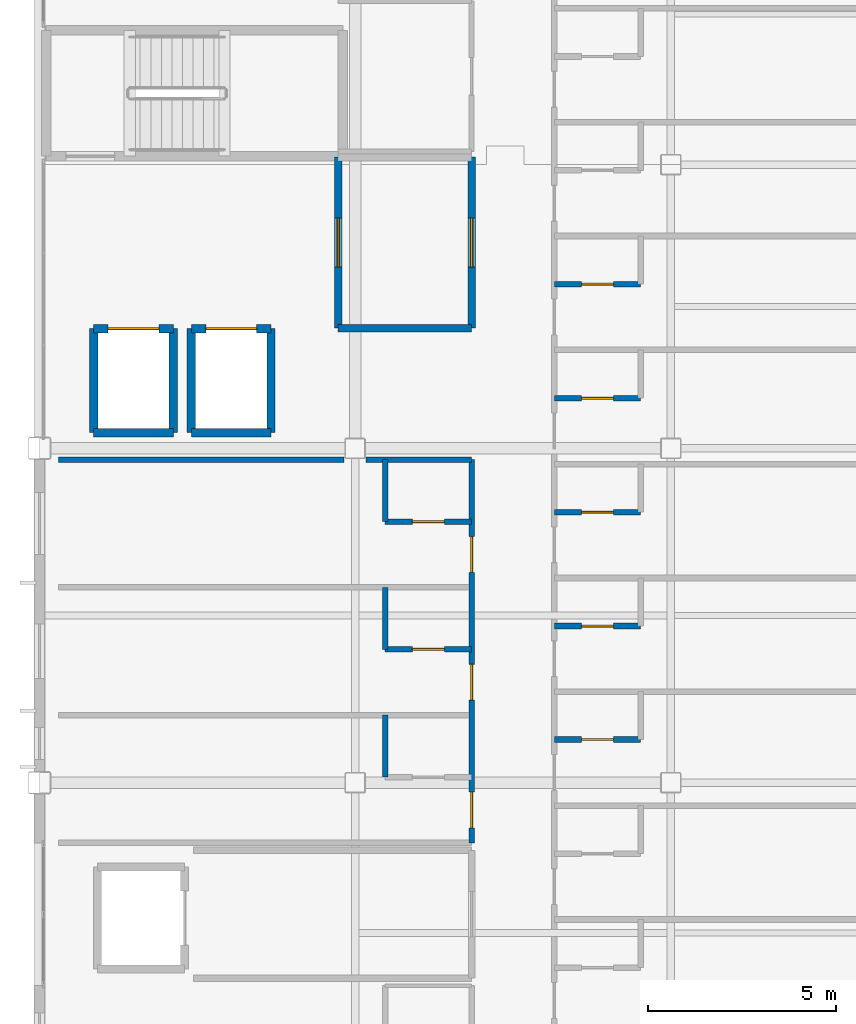
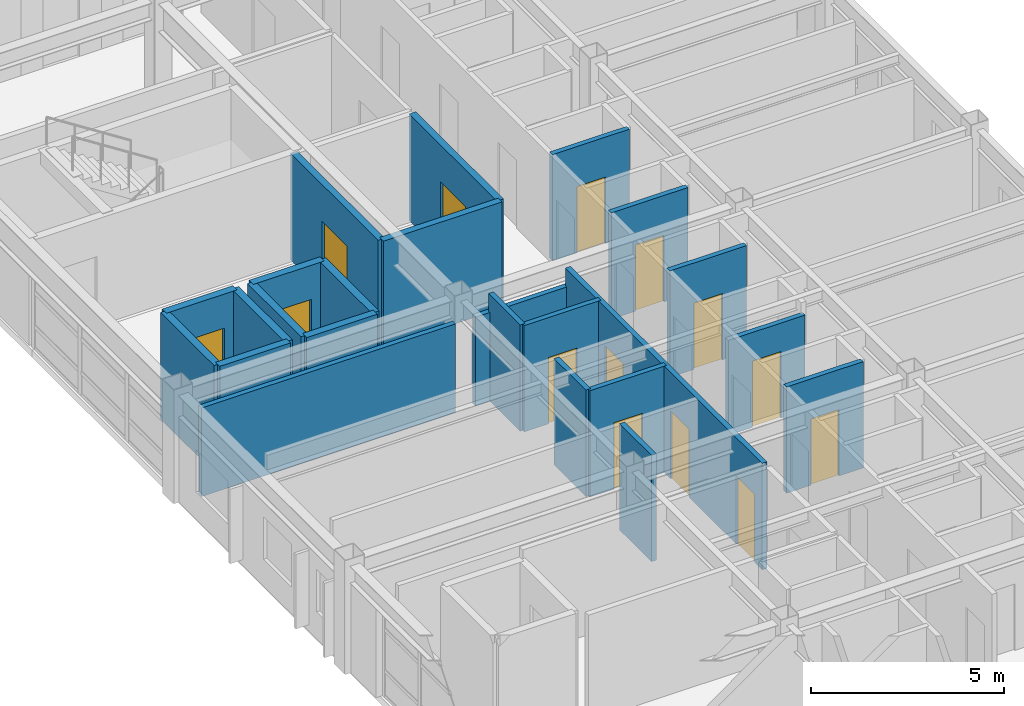
# One storey, part 26 of 38: 24 walls, 14 doors, 14 openings.
"""IFC4 building model written with IfcOpenShell, lengths in metres."""

from ifc_helpers import new_model, si_unit, direction, frame, frame_2d, origin, place, context, subcontext, project, spatial, rectangle, extrude, material, layer, layer_set, type_object, element, fill, save


model = new_model("IFC4")

# Units and contexts
model_context = context("Model", 3, precision=1e-05, world=origin(), true_north=direction((0.0, 1.0)))
body_context = subcontext(model_context, "Body", "Model", "MODEL_VIEW")
ifc_project = project(units=[si_unit("LENGTHUNIT", "METRE"), si_unit("AREAUNIT", "SQUARE_METRE"), si_unit("VOLUMEUNIT", "CUBIC_METRE"), si_unit("PLANEANGLEUNIT", "RADIAN"), si_unit("MASSUNIT", "GRAM", prefix="KILO")], contexts=[model_context])

# Site, building, storey
site_placement = place(None, origin())
site = spatial("IfcSite", under=ifc_project, at=site_placement, CompositionType="ELEMENT")
building_placement = place(site_placement, origin())
building = spatial("IfcBuilding", under=site, at=building_placement, Name="Kazehara Bluff Congress Hotel", CompositionType="ELEMENT")
storey_placement = place(building_placement, frame((0.0, 0.0, 24.60009765625)))
storey = spatial("IfcBuildingStorey", under=building, at=storey_placement, Name="L05", CompositionType="ELEMENT", Elevation=24.60009765625)

# Wall
ifc_material_1 = material(Name="Concrete C40/50", Category="concrete")
ifc_layer_1 = layer(ifc_material_1, 0.199951171875)
ifc_layer_set_1 = layer_set([ifc_layer_1], Name="Concrete C40/50")
wall_type_1 = type_object("IfcWallType", Name="TP-FW-RC", PredefinedType="SOLIDWALL", material=ifc_layer_set_1)
wall_1_placement = place(storey_placement, frame((151.64990234375, 44.10009765625, 0.0), z_axis=(0.0, 0.0, 1.0), x_axis=(1.0, 0.0, 0.0)))
element("IfcWall", 1, at=wall_1_placement, inside=storey, type_object=wall_type_1, Name="L05 partition FW-RC 557", PredefinedType="SOLIDWALL", context=body_context, shape_type="SweptSolid", body=[
    extrude(rectangle(XDim=3.550048828125, YDim=0.199951171875, at=frame_2d((1.77490234375, 0.0))), origin(), (0.0, 0.0, 1.0), 3.364990234375),
])

# Wall, opening, door
wall_2_placement = place(storey_placement, frame((151.64990234375, 44.10009765625, 0.0), z_axis=(0.0, 0.0, 1.0), x_axis=(0.0, 1.0, 0.0)))
wall_2 = element("IfcWall", 2, at=wall_2_placement, inside=storey, type_object=wall_type_1, Name="L05 partition FW-RC 624", PredefinedType="SOLIDWALL", context=body_context, shape_type="SweptSolid", body=[
    extrude(rectangle(XDim=4.5498046875, YDim=0.199951171875, at=frame_2d((2.27490234375, 0.0))), origin(), (0.0, 0.0, 1.0), 3.364990234375),
])
opening_1_placement = place(wall_2_placement, frame((1.625, 0.0, 0.0)))
opening_1 = element("IfcOpeningElement", 3, at=opening_1_placement, cuts=wall_2, Name="Opening FD-01", PredefinedType="OPENING", context=body_context, shape_type="SweptSolid", body=[
    extrude(rectangle(XDim=1.300048828125, YDim=2.199951171875, at=frame_2d((0.64990234375, 1.10009765625))), frame((0.0, 0.10986328125, 0.0), z_axis=(0.0, -1.0, 0.0), x_axis=(1.0, 0.0, 0.0)), (0.0, 0.0, 1.0), 0.219970703125),
])
ifc_material_2 = material(Name="Fire-rated painted steel leaf", Category="steel")
door_type_1 = type_object("IfcDoorType", Name="TP-FD-01", OperationType="NOTDEFINED", PredefinedType="DOOR", material=ifc_material_2)
door_1_placement = place(opening_1_placement, origin())
door_1 = element("IfcDoor", 4, at=door_1_placement, inside=storey, type_object=door_type_1, Name="L05 Emergency Firefighting Lobby door", OperationType="SINGLE_SWING_RIGHT", OverallHeight=2.199951171875, OverallWidth=1.300048828125, PredefinedType="DOOR", context=body_context, shape_type="SweptSolid", body=[
    extrude(rectangle(XDim=1.300048828125, YDim=2.199951171875, at=frame_2d((0.64990234375, 1.10009765625))), frame((0.0, 0.02490234375, 0.0), z_axis=(0.0, -1.0, 0.0), x_axis=(1.0, 0.0, 0.0)), (0.0, 0.0, 1.0), 0.050048828125),
])
fill(opening_1, door_1)

wall_3_placement = place(storey_placement, frame((155.199951171875, 44.10009765625, 0.0), z_axis=(0.0, 0.0, 1.0), x_axis=(0.0, 1.0, 0.0)))
wall_3 = element("IfcWall", 5, at=wall_3_placement, inside=storey, type_object=wall_type_1, Name="L05 partition FW-RC 653", PredefinedType="SOLIDWALL", context=body_context, shape_type="SweptSolid", body=[
    extrude(rectangle(XDim=4.5498046875, YDim=0.199951171875, at=frame_2d((2.27490234375, 0.0))), origin(), (0.0, 0.0, 1.0), 3.364990234375),
])
opening_2_placement = place(wall_3_placement, frame((1.625, 0.0, 0.0)))
opening_2 = element("IfcOpeningElement", 6, at=opening_2_placement, cuts=wall_3, Name="Opening FD-01", PredefinedType="OPENING", context=body_context, shape_type="SweptSolid", body=[
    extrude(rectangle(XDim=1.300048828125, YDim=2.199951171875, at=frame_2d((0.64990234375, 1.10009765625))), frame((0.0, 0.10986328125, 0.0), z_axis=(0.0, -1.0, 0.0), x_axis=(1.0, 0.0, 0.0)), (0.0, 0.0, 1.0), 0.219970703125),
])
door_2_placement = place(opening_2_placement, origin())
door_2 = element("IfcDoor", 7, at=door_2_placement, inside=storey, type_object=door_type_1, Name="L05 Smoke Vestibule Lobby door", OperationType="SINGLE_SWING_LEFT", OverallHeight=2.199951171875, OverallWidth=1.300048828125, PredefinedType="DOOR", context=body_context, shape_type="SweptSolid", body=[
    extrude(rectangle(XDim=1.300048828125, YDim=2.199951171875, at=frame_2d((0.64990234375, 1.10009765625))), frame((0.0, 0.02490234375, 0.0), z_axis=(0.0, -1.0, 0.0), x_axis=(1.0, 0.0, 0.0)), (0.0, 0.0, 1.0), 0.050048828125),
])
fill(opening_2, door_2)

ifc_material_3 = material(Name="Fire-rated gypsum board stud partition")
ifc_layer_2 = layer(ifc_material_3, 0.14990234375)
ifc_layer_set_2 = layer_set([ifc_layer_2], Name="Fire-rated gypsum board stud partition")
wall_type_2 = type_object("IfcWallType", Name="TP-PT-150", PredefinedType="PARTITIONING", material=ifc_layer_set_2)
wall_4_placement = place(storey_placement, frame((157.39990234375, 33.14990234375, 0.0), z_axis=(0.0, 0.0, 1.0), x_axis=(1.0, 0.0, 0.0)))
wall_4 = element("IfcWall", 8, at=wall_4_placement, inside=storey, type_object=wall_type_2, Name="L05 partition PT-150 543", PredefinedType="PARTITIONING", context=body_context, shape_type="SweptSolid", body=[
    extrude(rectangle(XDim=2.300048828125, YDim=0.14990234375, at=frame_2d((1.14990234375, 0.0))), origin(), (0.0, 0.0, 1.0), 3.364990234375),
])
opening_3_placement = place(wall_4_placement, frame((0.72509765625, 0.0, 0.0)))
opening_3 = element("IfcOpeningElement", 9, at=opening_3_placement, cuts=wall_4, Name="Opening BD-01", PredefinedType="OPENING", context=body_context, shape_type="SweptSolid", body=[
    extrude(rectangle(XDim=0.85009765625, YDim=2.10009765625, at=frame_2d((0.425048828125, 1.050048828125))), frame((0.0, 0.0849609375, 0.0), z_axis=(0.0, -1.0, 0.0), x_axis=(1.0, 0.0, 0.0)), (0.0, 0.0, 1.0), 0.169921875),
])
ifc_material_4 = material(Name="Architectural oak veneer leaf")
door_type_2 = type_object("IfcDoorType", Name="TP-BD-01", OperationType="NOTDEFINED", PredefinedType="DOOR", material=ifc_material_4)
door_3_placement = place(opening_3_placement, origin())
door_3 = element("IfcDoor", 10, at=door_3_placement, inside=storey, type_object=door_type_2, Name="L05 En-suite Bathroom 100 door", OperationType="SINGLE_SWING_RIGHT", OverallHeight=2.10009765625, OverallWidth=0.85009765625, PredefinedType="DOOR", context=body_context, shape_type="SweptSolid", body=[
    extrude(rectangle(XDim=0.85009765625, YDim=2.10009765625, at=frame_2d((0.425048828125, 1.050048828125))), frame((0.0, 0.02490234375, 0.0), z_axis=(0.0, -1.0, 0.0), x_axis=(1.0, 0.0, 0.0)), (0.0, 0.0, 1.0), 0.050048828125),
])
fill(opening_3, door_3)

wall_5_placement = place(storey_placement, frame((152.89990234375, 35.550048828125, 0.0), z_axis=(0.0, 0.0, 1.0), x_axis=(1.0, 0.0, 0.0)))
wall_5 = element("IfcWall", 11, at=wall_5_placement, inside=storey, type_object=wall_type_2, Name="L05 partition PT-150 546", PredefinedType="PARTITIONING", context=body_context, shape_type="SweptSolid", body=[
    extrude(rectangle(XDim=2.300048828125, YDim=0.14990234375, at=frame_2d((1.14990234375, 0.0))), origin(), (0.0, 0.0, 1.0), 3.364990234375),
])
opening_4_placement = place(wall_5_placement, frame((0.72509765625, 0.0, 0.0)))
opening_4 = element("IfcOpeningElement", 12, at=opening_4_placement, cuts=wall_5, Name="Opening BD-01", PredefinedType="OPENING", context=body_context, shape_type="SweptSolid", body=[
    extrude(rectangle(XDim=0.85009765625, YDim=2.10009765625, at=frame_2d((0.425048828125, 1.050048828125))), frame((0.0, 0.0849609375, 0.0), z_axis=(0.0, -1.0, 0.0), x_axis=(1.0, 0.0, 0.0)), (0.0, 0.0, 1.0), 0.169921875),
])
door_4_placement = place(opening_4_placement, origin())
door_4 = element("IfcDoor", 13, at=door_4_placement, inside=storey, type_object=door_type_2, Name="L05 En-suite Bathroom 76 door", OperationType="SINGLE_SWING_RIGHT", OverallHeight=2.10009765625, OverallWidth=0.85009765625, PredefinedType="DOOR", context=body_context, shape_type="SweptSolid", body=[
    extrude(rectangle(XDim=0.85009765625, YDim=2.10009765625, at=frame_2d((0.425048828125, 1.050048828125))), frame((0.0, 0.02490234375, 0.0), z_axis=(0.0, -1.0, 0.0), x_axis=(1.0, 0.0, 0.0)), (0.0, 0.0, 1.0), 0.050048828125),
])
fill(opening_4, door_4)

wall_6_placement = place(storey_placement, frame((157.39990234375, 36.169921875, 0.0), z_axis=(0.0, 0.0, 1.0), x_axis=(1.0, 0.0, 0.0)))
wall_6 = element("IfcWall", 14, at=wall_6_placement, inside=storey, type_object=wall_type_2, Name="L05 partition PT-150 547", PredefinedType="PARTITIONING", context=body_context, shape_type="SweptSolid", body=[
    extrude(rectangle(XDim=2.300048828125, YDim=0.14990234375, at=frame_2d((1.14990234375, 0.0))), origin(), (0.0, 0.0, 1.0), 3.0048828125),
])
opening_5_placement = place(wall_6_placement, frame((0.72509765625, 0.0, 0.0)))
opening_5 = element("IfcOpeningElement", 15, at=opening_5_placement, cuts=wall_6, Name="Opening BD-01", PredefinedType="OPENING", context=body_context, shape_type="SweptSolid", body=[
    extrude(rectangle(XDim=0.85009765625, YDim=2.10009765625, at=frame_2d((0.425048828125, 1.050048828125))), frame((0.0, 0.0849609375, 0.0), z_axis=(0.0, -1.0, 0.0), x_axis=(1.0, 0.0, 0.0)), (0.0, 0.0, 1.0), 0.169921875),
])
door_5_placement = place(opening_5_placement, origin())
door_5 = element("IfcDoor", 16, at=door_5_placement, inside=storey, type_object=door_type_2, Name="L05 En-suite Bathroom 101 door", OperationType="SINGLE_SWING_RIGHT", OverallHeight=2.10009765625, OverallWidth=0.85009765625, PredefinedType="DOOR", context=body_context, shape_type="SweptSolid", body=[
    extrude(rectangle(XDim=0.85009765625, YDim=2.10009765625, at=frame_2d((0.425048828125, 1.050048828125))), frame((0.0, 0.02490234375, 0.0), z_axis=(0.0, -1.0, 0.0), x_axis=(1.0, 0.0, 0.0)), (0.0, 0.0, 1.0), 0.050048828125),
])
fill(opening_5, door_5)

wall_7_placement = place(storey_placement, frame((152.89990234375, 38.949951171875, 0.0), z_axis=(0.0, 0.0, 1.0), x_axis=(1.0, 0.0, 0.0)))
wall_7 = element("IfcWall", 17, at=wall_7_placement, inside=storey, type_object=wall_type_2, Name="L05 partition PT-150 550", PredefinedType="PARTITIONING", context=body_context, shape_type="SweptSolid", body=[
    extrude(rectangle(XDim=2.300048828125, YDim=0.14990234375, at=frame_2d((1.14990234375, 0.0))), origin(), (0.0, 0.0, 1.0), 3.364990234375),
])
opening_6_placement = place(wall_7_placement, frame((0.72509765625, 0.0, 0.0)))
opening_6 = element("IfcOpeningElement", 18, at=opening_6_placement, cuts=wall_7, Name="Opening BD-01", PredefinedType="OPENING", context=body_context, shape_type="SweptSolid", body=[
    extrude(rectangle(XDim=0.85009765625, YDim=2.10009765625, at=frame_2d((0.425048828125, 1.050048828125))), frame((0.0, 0.0849609375, 0.0), z_axis=(0.0, -1.0, 0.0), x_axis=(1.0, 0.0, 0.0)), (0.0, 0.0, 1.0), 0.169921875),
])
door_6_placement = place(opening_6_placement, origin())
door_6 = element("IfcDoor", 19, at=door_6_placement, inside=storey, type_object=door_type_2, Name="L05 En-suite Bathroom 77 door", OperationType="SINGLE_SWING_RIGHT", OverallHeight=2.10009765625, OverallWidth=0.85009765625, PredefinedType="DOOR", context=body_context, shape_type="SweptSolid", body=[
    extrude(rectangle(XDim=0.85009765625, YDim=2.10009765625, at=frame_2d((0.425048828125, 1.050048828125))), frame((0.0, 0.02490234375, 0.0), z_axis=(0.0, -1.0, 0.0), x_axis=(1.0, 0.0, 0.0)), (0.0, 0.0, 1.0), 0.050048828125),
])
fill(opening_6, door_6)

wall_8_placement = place(storey_placement, frame((157.39990234375, 39.199951171875, 0.0), z_axis=(0.0, 0.0, 1.0), x_axis=(1.0, 0.0, 0.0)))
wall_8 = element("IfcWall", 20, at=wall_8_placement, inside=storey, type_object=wall_type_2, Name="L05 partition PT-150 551", PredefinedType="PARTITIONING", context=body_context, shape_type="SweptSolid", body=[
    extrude(rectangle(XDim=2.300048828125, YDim=0.14990234375, at=frame_2d((1.14990234375, 0.0))), origin(), (0.0, 0.0, 1.0), 3.364990234375),
])
opening_7_placement = place(wall_8_placement, frame((0.72509765625, 0.0, 0.0)))
opening_7 = element("IfcOpeningElement", 21, at=opening_7_placement, cuts=wall_8, Name="Opening BD-01", PredefinedType="OPENING", context=body_context, shape_type="SweptSolid", body=[
    extrude(rectangle(XDim=0.85009765625, YDim=2.10009765625, at=frame_2d((0.425048828125, 1.050048828125))), frame((0.0, 0.0849609375, 0.0), z_axis=(0.0, -1.0, 0.0), x_axis=(1.0, 0.0, 0.0)), (0.0, 0.0, 1.0), 0.169921875),
])
door_7_placement = place(opening_7_placement, origin())
door_7 = element("IfcDoor", 22, at=door_7_placement, inside=storey, type_object=door_type_2, Name="L05 En-suite Bathroom 102 door", OperationType="SINGLE_SWING_RIGHT", OverallHeight=2.10009765625, OverallWidth=0.85009765625, PredefinedType="DOOR", context=body_context, shape_type="SweptSolid", body=[
    extrude(rectangle(XDim=0.85009765625, YDim=2.10009765625, at=frame_2d((0.425048828125, 1.050048828125))), frame((0.0, 0.02490234375, 0.0), z_axis=(0.0, -1.0, 0.0), x_axis=(1.0, 0.0, 0.0)), (0.0, 0.0, 1.0), 0.050048828125),
])
fill(opening_7, door_7)

# Walls
wall_9_placement = place(storey_placement, frame((144.199951171875, 40.60009765625, 0.0), z_axis=(0.0, 0.0, 1.0), x_axis=(1.0, 0.0, 0.0)))
element("IfcWall", 23, at=wall_9_placement, inside=storey, type_object=wall_type_2, Name="L05 partition PT-150 553", PredefinedType="PARTITIONING", context=body_context, shape_type="SweptSolid", body=[
    extrude(rectangle(XDim=7.60498046875, YDim=0.14990234375, at=frame_2d((3.802490234375, 0.0))), origin(), (0.0, 0.0, 1.0), 2.804931640625),
])
wall_10_placement = place(storey_placement, frame((152.39501953125, 40.60009765625, 0.0), z_axis=(0.0, 0.0, 1.0), x_axis=(1.0, 0.0, 0.0)))
element("IfcWall", 24, at=wall_10_placement, inside=storey, type_object=wall_type_2, Name="L05 partition PT-150 554", PredefinedType="PARTITIONING", context=body_context, shape_type="SweptSolid", body=[
    extrude(rectangle(XDim=2.804931640625, YDim=0.14990234375, at=frame_2d((1.40234375, 0.0))), origin(), (0.0, 0.0, 1.0), 2.804931640625),
])

# Wall, opening, door
wall_11_placement = place(storey_placement, frame((157.39990234375, 42.22998046875, 0.0), z_axis=(0.0, 0.0, 1.0), x_axis=(1.0, 0.0, 0.0)))
wall_11 = element("IfcWall", 25, at=wall_11_placement, inside=storey, type_object=wall_type_2, Name="L05 partition PT-150 555", PredefinedType="PARTITIONING", context=body_context, shape_type="SweptSolid", body=[
    extrude(rectangle(XDim=2.300048828125, YDim=0.14990234375, at=frame_2d((1.14990234375, 0.0))), origin(), (0.0, 0.0, 1.0), 3.364990234375),
])
opening_8_placement = place(wall_11_placement, frame((0.72509765625, 0.0, 0.0)))
opening_8 = element("IfcOpeningElement", 26, at=opening_8_placement, cuts=wall_11, Name="Opening BD-01", PredefinedType="OPENING", context=body_context, shape_type="SweptSolid", body=[
    extrude(rectangle(XDim=0.85009765625, YDim=2.10009765625, at=frame_2d((0.425048828125, 1.050048828125))), frame((0.0, 0.0849609375, 0.0), z_axis=(0.0, -1.0, 0.0), x_axis=(1.0, 0.0, 0.0)), (0.0, 0.0, 1.0), 0.169921875),
])
door_8_placement = place(opening_8_placement, origin())
door_8 = element("IfcDoor", 27, at=door_8_placement, inside=storey, type_object=door_type_2, Name="L05 En-suite Bathroom 103 door", OperationType="SINGLE_SWING_RIGHT", OverallHeight=2.10009765625, OverallWidth=0.85009765625, PredefinedType="DOOR", context=body_context, shape_type="SweptSolid", body=[
    extrude(rectangle(XDim=0.85009765625, YDim=2.10009765625, at=frame_2d((0.425048828125, 1.050048828125))), frame((0.0, 0.02490234375, 0.0), z_axis=(0.0, -1.0, 0.0), x_axis=(1.0, 0.0, 0.0)), (0.0, 0.0, 1.0), 0.050048828125),
])
fill(opening_8, door_8)

wall_12_placement = place(storey_placement, frame((157.39990234375, 45.27001953125, 0.0), z_axis=(0.0, 0.0, 1.0), x_axis=(1.0, 0.0, 0.0)))
wall_12 = element("IfcWall", 28, at=wall_12_placement, inside=storey, type_object=wall_type_2, Name="L05 partition PT-150 558", PredefinedType="PARTITIONING", context=body_context, shape_type="SweptSolid", body=[
    extrude(rectangle(XDim=2.300048828125, YDim=0.14990234375, at=frame_2d((1.14990234375, 0.0))), origin(), (0.0, 0.0, 1.0), 3.364990234375),
])
opening_9_placement = place(wall_12_placement, frame((0.72509765625, 0.0, 0.0)))
opening_9 = element("IfcOpeningElement", 29, at=opening_9_placement, cuts=wall_12, Name="Opening BD-01", PredefinedType="OPENING", context=body_context, shape_type="SweptSolid", body=[
    extrude(rectangle(XDim=0.85009765625, YDim=2.10009765625, at=frame_2d((0.425048828125, 1.050048828125))), frame((0.0, 0.0849609375, 0.0), z_axis=(0.0, -1.0, 0.0), x_axis=(1.0, 0.0, 0.0)), (0.0, 0.0, 1.0), 0.169921875),
])
door_9_placement = place(opening_9_placement, origin())
door_9 = element("IfcDoor", 30, at=door_9_placement, inside=storey, type_object=door_type_2, Name="L05 En-suite Bathroom 104 door", OperationType="SINGLE_SWING_RIGHT", OverallHeight=2.10009765625, OverallWidth=0.85009765625, PredefinedType="DOOR", context=body_context, shape_type="SweptSolid", body=[
    extrude(rectangle(XDim=0.85009765625, YDim=2.10009765625, at=frame_2d((0.425048828125, 1.050048828125))), frame((0.0, 0.02490234375, 0.0), z_axis=(0.0, -1.0, 0.0), x_axis=(1.0, 0.0, 0.0)), (0.0, 0.0, 1.0), 0.050048828125),
])
fill(opening_9, door_9)

# Walls
wall_13_placement = place(storey_placement, frame((152.89990234375, 32.14990234375, 0.0), z_axis=(0.0, 0.0, 1.0), x_axis=(0.0, 1.0, 0.0)))
element("IfcWall", 31, at=wall_13_placement, inside=storey, type_object=wall_type_2, Name="L05 partition PT-150 633", PredefinedType="PARTITIONING", context=body_context, shape_type="SweptSolid", body=[
    extrude(rectangle(XDim=1.650146484375, YDim=0.14990234375, at=frame_2d((0.8251953125, 0.0))), origin(), (0.0, 0.0, 1.0), 3.364990234375),
])
wall_14_placement = place(storey_placement, frame((152.89990234375, 35.550048828125, 0.0), z_axis=(0.0, 0.0, 1.0), x_axis=(0.0, 1.0, 0.0)))
element("IfcWall", 32, at=wall_14_placement, inside=storey, type_object=wall_type_2, Name="L05 partition PT-150 634", PredefinedType="PARTITIONING", context=body_context, shape_type="SweptSolid", body=[
    extrude(rectangle(XDim=1.64990234375, YDim=0.14990234375, at=frame_2d((0.824951171875, 0.0))), origin(), (0.0, 0.0, 1.0), 3.364990234375),
])
wall_15_placement = place(storey_placement, frame((152.89990234375, 38.949951171875, 0.0), z_axis=(0.0, 0.0, 1.0), x_axis=(0.0, 1.0, 0.0)))
element("IfcWall", 33, at=wall_15_placement, inside=storey, type_object=wall_type_2, Name="L05 partition PT-150 635", PredefinedType="PARTITIONING", context=body_context, shape_type="SweptSolid", body=[
    extrude(rectangle(XDim=1.650146484375, YDim=0.14990234375, at=frame_2d((0.8251953125, 0.0))), origin(), (0.0, 0.0, 1.0), 3.364990234375),
])

# Wall, openings, doors
wall_16_placement = place(storey_placement, frame((155.199951171875, 30.39990234375, 0.0), z_axis=(0.0, 0.0, 1.0), x_axis=(0.0, 1.0, 0.0)))
wall_16 = element("IfcWall", 34, at=wall_16_placement, inside=storey, type_object=wall_type_2, Name="L05 partition PT-150 652", PredefinedType="PARTITIONING", context=body_context, shape_type="SweptSolid", body=[
    extrude(rectangle(XDim=10.2001953125, YDim=0.14990234375, at=frame_2d((5.10009765625, 0.0))), origin(), (0.0, 0.0, 1.0), 3.364990234375),
])
opening_10_placement = place(wall_16_placement, frame((0.39990234375, 0.0, 0.0)))
opening_10 = element("IfcOpeningElement", 35, at=opening_10_placement, cuts=wall_16, Name="Opening GD-01", PredefinedType="OPENING", context=body_context, shape_type="SweptSolid", body=[
    extrude(rectangle(XDim=0.949951171875, YDim=2.14990234375, at=frame_2d((0.47509765625, 1.074951171875))), frame((0.0, 0.0849609375, 0.0), z_axis=(0.0, -1.0, 0.0), x_axis=(1.0, 0.0, 0.0)), (0.0, 0.0, 1.0), 0.169921875),
])
opening_11_placement = place(wall_16_placement, frame((3.800048828125, 0.0, 0.0)))
opening_11 = element("IfcOpeningElement", 36, at=opening_11_placement, cuts=wall_16, Name="Opening GD-01", PredefinedType="OPENING", context=body_context, shape_type="SweptSolid", body=[
    extrude(rectangle(XDim=0.949951171875, YDim=2.14990234375, at=frame_2d((0.47509765625, 1.074951171875))), frame((0.0, 0.0849609375, 0.0), z_axis=(0.0, -1.0, 0.0), x_axis=(1.0, 0.0, 0.0)), (0.0, 0.0, 1.0), 0.169921875),
])
opening_12_placement = place(wall_16_placement, frame((7.199951171875, 0.0, 0.0)))
opening_12 = element("IfcOpeningElement", 37, at=opening_12_placement, cuts=wall_16, Name="Opening GD-01", PredefinedType="OPENING", context=body_context, shape_type="SweptSolid", body=[
    extrude(rectangle(XDim=0.949951171875, YDim=2.14990234375, at=frame_2d((0.47509765625, 1.074951171875))), frame((0.0, 0.0849609375, 0.0), z_axis=(0.0, -1.0, 0.0), x_axis=(1.0, 0.0, 0.0)), (0.0, 0.0, 1.0), 0.169921875),
])
ifc_material_5 = material(Name="Architectural oak veneer leaf")
door_type_3 = type_object("IfcDoorType", Name="TP-GD-01", OperationType="NOTDEFINED", PredefinedType="DOOR", material=ifc_material_5)
door_10_placement = place(opening_10_placement, origin())
door_10 = element("IfcDoor", 38, at=door_10_placement, inside=storey, type_object=door_type_3, Name="L05 Standard King Guest Room 75 door", OperationType="SINGLE_SWING_LEFT", OverallHeight=2.14990234375, OverallWidth=0.949951171875, PredefinedType="DOOR", context=body_context, shape_type="SweptSolid", body=[
    extrude(rectangle(XDim=0.949951171875, YDim=2.14990234375, at=frame_2d((0.47509765625, 1.074951171875))), frame((0.0, 0.02490234375, 0.0), z_axis=(0.0, -1.0, 0.0), x_axis=(1.0, 0.0, 0.0)), (0.0, 0.0, 1.0), 0.050048828125),
])
fill(opening_10, door_10)
door_11_placement = place(opening_11_placement, origin())
door_11 = element("IfcDoor", 39, at=door_11_placement, inside=storey, type_object=door_type_3, Name="L05 Deluxe Twin Guest Room 76 door", OperationType="SINGLE_SWING_LEFT", OverallHeight=2.14990234375, OverallWidth=0.949951171875, PredefinedType="DOOR", context=body_context, shape_type="SweptSolid", body=[
    extrude(rectangle(XDim=0.949951171875, YDim=2.14990234375, at=frame_2d((0.47509765625, 1.074951171875))), frame((0.0, 0.02490234375, 0.0), z_axis=(0.0, -1.0, 0.0), x_axis=(1.0, 0.0, 0.0)), (0.0, 0.0, 1.0), 0.050048828125),
])
fill(opening_11, door_11)
door_12_placement = place(opening_12_placement, origin())
door_12 = element("IfcDoor", 40, at=door_12_placement, inside=storey, type_object=door_type_3, Name="L05 Standard King Guest Room 77 door", OperationType="SINGLE_SWING_LEFT", OverallHeight=2.14990234375, OverallWidth=0.949951171875, PredefinedType="DOOR", context=body_context, shape_type="SweptSolid", body=[
    extrude(rectangle(XDim=0.949951171875, YDim=2.14990234375, at=frame_2d((0.47509765625, 1.074951171875))), frame((0.0, 0.02490234375, 0.0), z_axis=(0.0, -1.0, 0.0), x_axis=(1.0, 0.0, 0.0)), (0.0, 0.0, 1.0), 0.050048828125),
])
fill(opening_12, door_12)

# Wall, opening, door
ifc_material_6 = material(Name="Concrete C40/50", Category="concrete")
ifc_layer_3 = layer(ifc_material_6, 0.219970703125)
ifc_layer_set_3 = layer_set([ifc_layer_3], Name="Concrete C40/50")
wall_type_3 = type_object("IfcWallType", Name="TP-SW-RC", PredefinedType="SHEAR", material=ifc_layer_set_3)
wall_17_placement = place(storey_placement, frame((145.139892578125, 44.0849609375, 0.0), z_axis=(0.0, 0.0, 1.0), x_axis=(1.0, 0.0, 0.0)))
wall_17 = element("IfcWall", 41, at=wall_17_placement, inside=storey, type_object=wall_type_3, Name="L05 EL-E1 lift shaft wall +Y", PredefinedType="SHEAR", context=body_context, shape_type="SweptSolid", body=[
    extrude(rectangle(XDim=2.1201171875, YDim=0.219970703125, at=frame_2d((1.06005859375, 0.0))), origin(), (0.0, 0.0, 1.0), 3.3798828125),
])
opening_13_placement = place(wall_17_placement, frame((0.385009765625, 0.0, 0.0)))
opening_13 = element("IfcOpeningElement", 42, at=opening_13_placement, cuts=wall_17, Name="Opening LD-03", PredefinedType="OPENING", context=body_context, shape_type="SweptSolid", body=[
    extrude(rectangle(XDim=1.35009765625, YDim=2.300048828125, at=frame_2d((0.675048828125, 1.14990234375))), frame((0.0, 0.119873046875, 0.0), z_axis=(0.0, -1.0, 0.0), x_axis=(1.0, 0.0, 0.0)), (0.0, 0.0, 1.0), 0.239990234375),
])
ifc_material_7 = material(Name="Fire-rated painted steel leaf", Category="steel")
door_type_4 = type_object("IfcDoorType", Name="TP-LD-03", OperationType="SLIDING_TO_LEFT", PredefinedType="DOOR", material=ifc_material_7)
door_13_placement = place(opening_13_placement, origin())
door_13 = element("IfcDoor", 43, at=door_13_placement, inside=storey, type_object=door_type_4, Name="L05 EL-E1 elevator landing door", OperationType="SLIDING_TO_LEFT", OverallHeight=2.300048828125, OverallWidth=1.35009765625, PredefinedType="DOOR", context=body_context, shape_type="SweptSolid", body=[
    extrude(rectangle(XDim=1.35009765625, YDim=2.300048828125, at=frame_2d((0.675048828125, 1.14990234375))), frame((0.0, 0.02490234375, 0.0), z_axis=(0.0, -1.0, 0.0), x_axis=(1.0, 0.0, 0.0)), (0.0, 0.0, 1.0), 0.050048828125),
])
fill(opening_13, door_13)

# Walls
wall_18_placement = place(storey_placement, frame((145.139892578125, 41.31494140625, 0.0), z_axis=(0.0, 0.0, 1.0), x_axis=(1.0, 0.0, 0.0)))
element("IfcWall", 44, at=wall_18_placement, inside=storey, type_object=wall_type_3, Name="L05 EL-E1 lift shaft wall -Y", PredefinedType="SHEAR", context=body_context, shape_type="SweptSolid", body=[
    extrude(rectangle(XDim=2.1201171875, YDim=0.219970703125, at=frame_2d((1.06005859375, 0.0))), origin(), (0.0, 0.0, 1.0), 3.3798828125),
])
for number, where, z_axis, x_axis, name in (
    (45, (147.260009765625, 41.31494140625, 0.0), (0.0, 0.0, 1.0), (0.0, 1.0, 0.0), "L05 EL-E1 lift shaft wall +X"),
    (46, (145.139892578125, 41.31494140625, 0.0), (0.0, 0.0, 1.0), (0.0, 1.0, 0.0), "L05 EL-E1 lift shaft wall -X"),
):
    element("IfcWall", number, at=place(storey_placement, frame(where, z_axis=z_axis, x_axis=x_axis)), inside=storey, type_object=wall_type_3, Name=name, PredefinedType="SHEAR", context=body_context, shape_type="SweptSolid", body=[
        extrude(rectangle(XDim=2.77001953125, YDim=0.219970703125, at=frame_2d((1.385009765625, 0.0))), origin(), (0.0, 0.0, 1.0), 3.3798828125),
    ])

# Wall, opening, door
wall_19_placement = place(storey_placement, frame((147.739990234375, 44.0849609375, 0.0), z_axis=(0.0, 0.0, 1.0), x_axis=(1.0, 0.0, 0.0)))
wall_19 = element("IfcWall", 47, at=wall_19_placement, inside=storey, type_object=wall_type_3, Name="L05 EL-E2 lift shaft wall +Y", PredefinedType="SHEAR", context=body_context, shape_type="SweptSolid", body=[
    extrude(rectangle(XDim=2.1201171875, YDim=0.219970703125, at=frame_2d((1.06005859375, 0.0))), origin(), (0.0, 0.0, 1.0), 3.3798828125),
])
opening_14_placement = place(wall_19_placement, frame((0.385009765625, 0.0, 0.0)))
opening_14 = element("IfcOpeningElement", 48, at=opening_14_placement, cuts=wall_19, Name="Opening LD-03", PredefinedType="OPENING", context=body_context, shape_type="SweptSolid", body=[
    extrude(rectangle(XDim=1.35009765625, YDim=2.300048828125, at=frame_2d((0.675048828125, 1.14990234375))), frame((0.0, 0.119873046875, 0.0), z_axis=(0.0, -1.0, 0.0), x_axis=(1.0, 0.0, 0.0)), (0.0, 0.0, 1.0), 0.239990234375),
])
door_14_placement = place(opening_14_placement, origin())
door_14 = element("IfcDoor", 49, at=door_14_placement, inside=storey, type_object=door_type_4, Name="L05 EL-E2 elevator landing door", OperationType="SLIDING_TO_LEFT", OverallHeight=2.300048828125, OverallWidth=1.35009765625, PredefinedType="DOOR", context=body_context, shape_type="SweptSolid", body=[
    extrude(rectangle(XDim=1.35009765625, YDim=2.300048828125, at=frame_2d((0.675048828125, 1.14990234375))), frame((0.0, 0.02490234375, 0.0), z_axis=(0.0, -1.0, 0.0), x_axis=(1.0, 0.0, 0.0)), (0.0, 0.0, 1.0), 0.050048828125),
])
fill(opening_14, door_14)

# Walls
wall_20_placement = place(storey_placement, frame((147.739990234375, 41.31494140625, 0.0), z_axis=(0.0, 0.0, 1.0), x_axis=(1.0, 0.0, 0.0)))
element("IfcWall", 50, at=wall_20_placement, inside=storey, type_object=wall_type_3, Name="L05 EL-E2 lift shaft wall -Y", PredefinedType="SHEAR", context=body_context, shape_type="SweptSolid", body=[
    extrude(rectangle(XDim=2.1201171875, YDim=0.219970703125, at=frame_2d((1.06005859375, 0.0))), origin(), (0.0, 0.0, 1.0), 3.3798828125),
])
for number, where, z_axis, x_axis, name in (
    (51, (149.860107421875, 41.31494140625, 0.0), (0.0, 0.0, 1.0), (0.0, 1.0, 0.0), "L05 EL-E2 lift shaft wall +X"),
    (52, (147.739990234375, 41.31494140625, 0.0), (0.0, 0.0, 1.0), (0.0, 1.0, 0.0), "L05 EL-E2 lift shaft wall -X"),
):
    element("IfcWall", number, at=place(storey_placement, frame(where, z_axis=z_axis, x_axis=x_axis)), inside=storey, type_object=wall_type_3, Name=name, PredefinedType="SHEAR", context=body_context, shape_type="SweptSolid", body=[
        extrude(rectangle(XDim=2.77001953125, YDim=0.219970703125, at=frame_2d((1.385009765625, 0.0))), origin(), (0.0, 0.0, 1.0), 3.3798828125),
    ])

save(model, "model.ifc")
